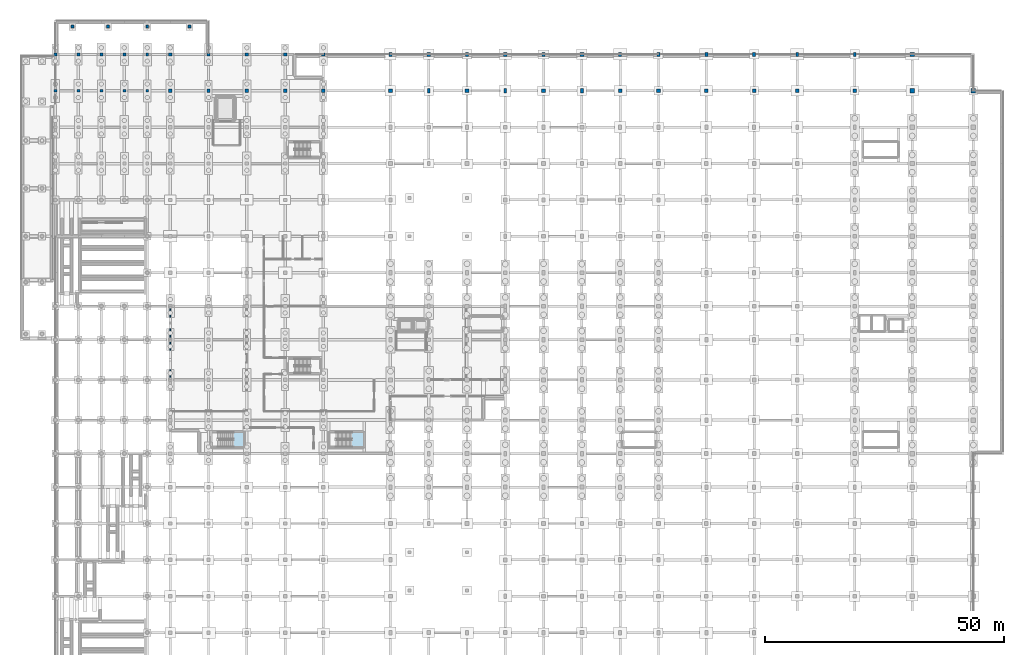
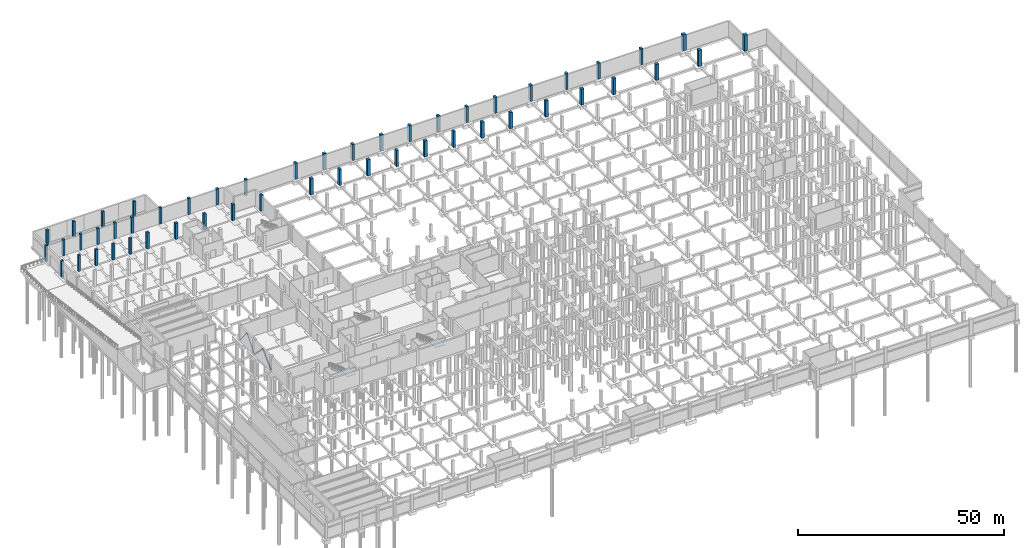
# One storey, part 30 of 50: 51 columns, 4 members, 2 slabs, 2 elements without a shape of their own.
"""IFC4 building model written with IfcOpenShell, lengths in metres."""

from ifc_helpers import new_model, si_unit, direction, frame, origin, origin_2d, place, context, subcontext, project, spatial, polyline, rectangle, hollow_circle, outline, extrude, material, layer, layer_set, material_profile, profile_set, type_object, element, aggregate, save


model = new_model("IFC4")

# Units and contexts
model_context = context("Model", 3, precision=1e-05, world=origin(), true_north=direction((0.0, 1.0)))
body_context = subcontext(model_context, "Body", "Model", "MODEL_VIEW")
ifc_project = project(units=[si_unit("LENGTHUNIT", "METRE"), si_unit("AREAUNIT", "SQUARE_METRE"), si_unit("VOLUMEUNIT", "CUBIC_METRE"), si_unit("PLANEANGLEUNIT", "RADIAN"), si_unit("MASSUNIT", "GRAM", prefix="KILO")], contexts=[model_context])

# Site, building, storey
site_placement = place(None, origin())
site = spatial("IfcSite", under=ifc_project, at=site_placement, CompositionType="ELEMENT")
building_placement = place(site_placement, origin())
building = spatial("IfcBuilding", under=site, at=building_placement, Name="Vekula Escarpment Museum", CompositionType="ELEMENT")
storey_placement = place(building_placement, frame((0.0, 0.0, -4.800048828125)))
storey = spatial("IfcBuildingStorey", under=building, at=storey_placement, Name="B1", CompositionType="ELEMENT", Elevation=-4.800048828125)

# Columns
ifc_material_1 = material(Name="Concrete C35/45", Category="concrete")
ifc_material_profile_1 = material_profile(ifc_material_1, rectangle(XDim=0.60009765625, YDim=0.60009765625, at=origin_2d()), Name="RC 600x600")
ifc_profile_set_1 = profile_set([ifc_material_profile_1], Name="Concrete C35/45")
column_type_1 = type_object("IfcColumnType", Name="COL-B1-RC600", PredefinedType="COLUMN", material=ifc_profile_set_1)
for number, where, z_axis, x_axis, name in (
    (1, (0.0, 128.39990234375, 0.0), (0.0, 0.0, 1.0), (1.0, 0.0, 0.0), "Column B1 (0.0,128.4)"),
    (2, (0.0, 136.0, 0.0), (0.0, 0.0, 1.0), (1.0, 0.0, 0.0), "Column B1 (0.0,136.0)"),
    (3, (4.800048828125, 128.39990234375, 0.0), (0.0, 0.0, 1.0), (1.0, 0.0, 0.0), "Column B1 (4.8,128.4)"),
    (4, (4.800048828125, 136.0, 0.0), (0.0, 0.0, 1.0), (1.0, 0.0, 0.0), "Column B1 (4.8,136.0)"),
    (5, (9.60009765625, 128.39990234375, 0.0), (0.0, 0.0, 1.0), (1.0, 0.0, 0.0), "Column B1 (9.6,128.4)"),
    (6, (9.60009765625, 136.0, 0.0), (0.0, 0.0, 1.0), (1.0, 0.0, 0.0), "Column B1 (9.6,136.0)"),
    (7, (14.39990234375, 128.39990234375, 0.0), (0.0, 0.0, 1.0), (1.0, 0.0, 0.0), "Column B1 (14.4,128.4)"),
    (8, (14.39990234375, 136.0, 0.0), (0.0, 0.0, 1.0), (1.0, 0.0, 0.0), "Column B1 (14.4,136.0)"),
    (9, (19.199951171875, 128.39990234375, 0.0), (0.0, 0.0, 1.0), (1.0, 0.0, 0.0), "Column B1 (19.2,128.4)"),
    (10, (19.199951171875, 136.0, 0.0), (0.0, 0.0, 1.0), (1.0, 0.0, 0.0), "Column B1 (19.2,136.0)"),
):
    element("IfcColumn", number, at=place(storey_placement, frame(where, z_axis=z_axis, x_axis=x_axis)), inside=storey, type_object=column_type_1, Name=name, PredefinedType="COLUMN", context=body_context, shape_type="SweptSolid", body=[
        extrude(rectangle(XDim=0.60009765625, YDim=0.60009765625, at=origin_2d()), origin(), (0.0, 0.0, 1.0), 4.800048828125),
    ])
for number, where, z_axis, x_axis, name in (
    (11, (3.60009765625, 141.800048828125, 0.0), (0.0, 0.0, 1.0), (1.0, 0.0, 0.0), "Dock Apron Pier 1"),
    (12, (11.0, 141.800048828125, 0.0), (0.0, 0.0, 1.0), (1.0, 0.0, 0.0), "Dock Apron Pier 2"),
    (13, (19.199951171875, 141.800048828125, 0.0), (0.0, 0.0, 1.0), (1.0, 0.0, 0.0), "Dock Apron Pier 3"),
    (14, (28.0, 141.800048828125, 0.0), (0.0, 0.0, 1.0), (1.0, 0.0, 0.0), "Dock Apron Pier 4"),
):
    element("IfcColumn", number, at=place(storey_placement, frame(where, z_axis=z_axis, x_axis=x_axis)), inside=storey, type_object=column_type_1, Name=name, PredefinedType="COLUMN", context=body_context, shape_type="SweptSolid", body=[
        extrude(rectangle(XDim=0.60009765625, YDim=0.60009765625, at=origin_2d()), origin(), (0.0, 0.0, 1.0), 4.550048828125),
    ])
ifc_material_2 = material(Name="Concrete C35/45", Category="concrete")
ifc_material_profile_2 = material_profile(ifc_material_2, rectangle(XDim=0.60009765625, YDim=0.89990234375, at=origin_2d()), Name="RC 600x900")
ifc_profile_set_2 = profile_set([ifc_material_profile_2], Name="Concrete C35/45")
column_type_2 = type_object("IfcColumnType", Name="COL-B1-RC69", PredefinedType="COLUMN", material=ifc_profile_set_2)
for number, where, z_axis, x_axis, name in (
    (15, (70.0, 136.0, 0.0), (0.0, 0.0, 1.0), (1.0, 0.0, 0.0), "Column B1 (70.0,136.0)"),
    (16, (78.0, 128.39990234375, 0.0), (0.0, 0.0, 1.0), (1.0, 0.0, 0.0), "Column B1 (78.0,128.4)"),
    (17, (86.0, 136.0, 0.0), (0.0, 0.0, 1.0), (1.0, 0.0, 0.0), "Column B1 (86.0,136.0)"),
    (18, (94.0, 128.39990234375, 0.0), (0.0, 0.0, 1.0), (1.0, 0.0, 0.0), "Column B1 (94.0,128.4)"),
    (19, (102.0, 136.0, 0.0), (0.0, 0.0, 1.0), (1.0, 0.0, 0.0), "Column B1 (102.0,136.0)"),
    (20, (110.0, 128.39990234375, 0.0), (0.0, 0.0, 1.0), (1.0, 0.0, 0.0), "Column B1 (110.0,128.4)"),
    (21, (118.0, 136.0, 0.0), (0.0, 0.0, 1.0), (1.0, 0.0, 0.0), "Column B1 (118.0,136.0)"),
    (22, (126.0, 136.0, 0.0), (0.0, 0.0, 1.0), (1.0, 0.0, 0.0), "Column B1 (126.0,136.0)"),
    (23, (136.0, 136.0, 0.0), (0.0, 0.0, 1.0), (1.0, 0.0, 0.0), "Column B1 (136.0,136.0)"),
    (24, (146.0, 136.0, 0.0), (0.0, 0.0, 1.0), (1.0, 0.0, 0.0), "Column B1 (146.0,136.0)"),
    (25, (155.0, 136.0, 0.0), (0.0, 0.0, 1.0), (1.0, 0.0, 0.0), "Column B1 (155.0,136.0)"),
    (26, (167.0, 136.0, 0.0), (0.0, 0.0, 1.0), (1.0, 0.0, 0.0), "Column B1 (167.0,136.0)"),
):
    element("IfcColumn", number, at=place(storey_placement, frame(where, z_axis=z_axis, x_axis=x_axis)), inside=storey, type_object=column_type_2, Name=name, PredefinedType="COLUMN", context=body_context, shape_type="SweptSolid", body=[
        extrude(rectangle(XDim=0.60009765625, YDim=0.89990234375, at=origin_2d()), origin(), (0.0, 0.0, 1.0), 4.800048828125),
    ])
ifc_material_3 = material(Name="Concrete C35/45", Category="concrete")
ifc_material_profile_3 = material_profile(ifc_material_3, rectangle(XDim=0.699951171875, YDim=0.699951171875, at=origin_2d()), Name="RC 700x700")
ifc_profile_set_3 = profile_set([ifc_material_profile_3], Name="Concrete C35/45")
column_type_3 = type_object("IfcColumnType", Name="COL-B1-RC700", PredefinedType="COLUMN", material=ifc_profile_set_3)
for number, where, z_axis, x_axis, name in (
    (27, (24.0, 128.39990234375, 0.0), (0.0, 0.0, 1.0), (1.0, 0.0, 0.0), "Column B1 (24.0,128.4)"),
    (28, (24.0, 136.0, 0.0), (0.0, 0.0, 1.0), (1.0, 0.0, 0.0), "Column B1 (24.0,136.0)"),
    (29, (32.0, 128.39990234375, 0.0), (0.0, 0.0, 1.0), (1.0, 0.0, 0.0), "Column B1 (32.0,128.4)"),
    (30, (32.0, 136.0, 0.0), (0.0, 0.0, 1.0), (1.0, 0.0, 0.0), "Column B1 (32.0,136.0)"),
    (31, (40.0, 128.39990234375, 0.0), (0.0, 0.0, 1.0), (1.0, 0.0, 0.0), "Column B1 (40.0,128.4)"),
    (32, (40.0, 136.0, 0.0), (0.0, 0.0, 1.0), (1.0, 0.0, 0.0), "Column B1 (40.0,136.0)"),
    (33, (48.0, 128.39990234375, 0.0), (0.0, 0.0, 1.0), (1.0, 0.0, 0.0), "Column B1 (48.0,128.4)"),
    (34, (48.0, 136.0, 0.0), (0.0, 0.0, 1.0), (1.0, 0.0, 0.0), "Column B1 (48.0,136.0)"),
    (35, (56.0, 128.39990234375, 0.0), (0.0, 0.0, 1.0), (1.0, 0.0, 0.0), "Column B1 (56.0,128.4)"),
    (36, (56.0, 136.0, 0.0), (0.0, 0.0, 1.0), (1.0, 0.0, 0.0), "Column B1 (56.0,136.0)"),
):
    element("IfcColumn", number, at=place(storey_placement, frame(where, z_axis=z_axis, x_axis=x_axis)), inside=storey, type_object=column_type_3, Name=name, PredefinedType="COLUMN", context=body_context, shape_type="SweptSolid", body=[
        extrude(rectangle(XDim=0.699951171875, YDim=0.699951171875, at=origin_2d()), origin(), (0.0, 0.0, 1.0), 4.800048828125),
    ])
ifc_material_4 = material(Name="Concrete C35/45", Category="concrete")
ifc_material_profile_4 = material_profile(ifc_material_4, rectangle(XDim=0.800048828125, YDim=0.800048828125, at=origin_2d()), Name="RC 800x800")
ifc_profile_set_4 = profile_set([ifc_material_profile_4], Name="Concrete C35/45")
column_type_4 = type_object("IfcColumnType", Name="COL-B1-RC800", PredefinedType="COLUMN", material=ifc_profile_set_4)
for number, where, z_axis, x_axis, name in (
    (37, (70.0, 128.39990234375, 0.0), (0.0, 0.0, 1.0), (1.0, 0.0, 0.0), "Column B1 (70.0,128.4)"),
    (38, (78.0, 136.0, 0.0), (0.0, 0.0, 1.0), (1.0, 0.0, 0.0), "Column B1 (78.0,136.0)"),
    (39, (86.0, 128.39990234375, 0.0), (0.0, 0.0, 1.0), (1.0, 0.0, 0.0), "Column B1 (86.0,128.4)"),
    (40, (94.0, 136.0, 0.0), (0.0, 0.0, 1.0), (1.0, 0.0, 0.0), "Column B1 (94.0,136.0)"),
    (41, (102.0, 128.39990234375, 0.0), (0.0, 0.0, 1.0), (1.0, 0.0, 0.0), "Column B1 (102.0,128.4)"),
    (42, (110.0, 136.0, 0.0), (0.0, 0.0, 1.0), (1.0, 0.0, 0.0), "Column B1 (110.0,136.0)"),
    (43, (118.0, 128.39990234375, 0.0), (0.0, 0.0, 1.0), (1.0, 0.0, 0.0), "Column B1 (118.0,128.4)"),
    (44, (126.0, 128.39990234375, 0.0), (0.0, 0.0, 1.0), (1.0, 0.0, 0.0), "Column B1 (126.0,128.4)"),
    (45, (136.0, 128.39990234375, 0.0), (0.0, 0.0, 1.0), (1.0, 0.0, 0.0), "Column B1 (136.0,128.4)"),
    (46, (146.0, 128.39990234375, 0.0), (0.0, 0.0, 1.0), (1.0, 0.0, 0.0), "Column B1 (146.0,128.4)"),
    (47, (155.0, 128.39990234375, 0.0), (0.0, 0.0, 1.0), (1.0, 0.0, 0.0), "Column B1 (155.0,128.4)"),
    (48, (167.0, 128.39990234375, 0.0), (0.0, 0.0, 1.0), (1.0, 0.0, 0.0), "Column B1 (167.0,128.4)"),
):
    element("IfcColumn", number, at=place(storey_placement, frame(where, z_axis=z_axis, x_axis=x_axis)), inside=storey, type_object=column_type_4, Name=name, PredefinedType="COLUMN", context=body_context, shape_type="SweptSolid", body=[
        extrude(rectangle(XDim=0.800048828125, YDim=0.800048828125, at=origin_2d()), origin(), (0.0, 0.0, 1.0), 4.800048828125),
    ])
ifc_material_5 = material(Name="Concrete C35/45", Category="concrete")
ifc_material_profile_5 = material_profile(ifc_material_5, rectangle(XDim=0.89990234375, YDim=0.89990234375, at=origin_2d()), Name="RC 900x900")
ifc_profile_set_5 = profile_set([ifc_material_profile_5], Name="Concrete C35/45")
column_type_5 = type_object("IfcColumnType", Name="COL-B1-RC900", PredefinedType="COLUMN", material=ifc_profile_set_5)
for number, where, z_axis, x_axis, name in (
    (49, (179.0, 128.39990234375, 0.0), (0.0, 0.0, 1.0), (1.0, 0.0, 0.0), "Column B1 (179.0,128.4)"),
    (50, (179.0, 136.0, 0.0), (0.0, 0.0, 1.0), (1.0, 0.0, 0.0), "Column B1 (179.0,136.0)"),
    (51, (191.800048828125, 128.39990234375, 0.0), (0.0, 0.0, 1.0), (1.0, 0.0, 0.0), "Column B1 (191.8,128.4)"),
):
    element("IfcColumn", number, at=place(storey_placement, frame(where, z_axis=z_axis, x_axis=x_axis)), inside=storey, type_object=column_type_5, Name=name, PredefinedType="COLUMN", context=body_context, shape_type="SweptSolid", body=[
        extrude(rectangle(XDim=0.89990234375, YDim=0.89990234375, at=origin_2d()), origin(), (0.0, 0.0, 1.0), 4.800048828125),
    ])

# Members
ifc_material_6 = material(Name="Steel S355", Category="steel")
ifc_material_profile_6 = material_profile(ifc_material_6, hollow_circle(Radius=0.136474609375, WallThickness=0.012451171875, at=origin_2d()), Name="CHS 273x12.5")
ifc_profile_set_6 = profile_set([ifc_material_profile_6], Name="Steel S355")
member_type_1 = type_object("IfcMemberType", Name="MB-CBF-BRACE1", PredefinedType="BRACE", material=ifc_profile_set_6)
for number, where, z_axis, x_axis, name in (
    (52, (24.0, 76.64990234375, 0.239990234375), (0.0, 0.634410085934, 0.772996664201), (-1.0, 0.0, 0.0), "Lateral Braced Frame B1-04L"),
    (53, (24.0, 83.14990234375, 0.239990234375), (0.0, -0.634410085934, 0.772996664201), (1.0, 0.0, 0.0), "Lateral Braced Frame B1-04R"),
):
    element("IfcMember", number, at=place(storey_placement, frame(where, z_axis=z_axis, x_axis=x_axis)), inside=storey, type_object=member_type_1, Name=name, PredefinedType="BRACE", context=body_context, shape_type="SweptSolid", body=[
        extrude(hollow_circle(Radius=0.136474609375, WallThickness=0.012451171875, at=origin_2d()), origin(), (0.0, 0.0, 1.0), 5.122802734375),
    ])
ifc_material_7 = material(Name="Steel S355", Category="steel")
ifc_material_profile_7 = material_profile(ifc_material_7, hollow_circle(Radius=0.203125, WallThickness=0.02001953125, at=origin_2d()), Name="CHS 406.4x20")
ifc_profile_set_7 = profile_set([ifc_material_profile_7], Name="Steel S355")
member_type_2 = type_object("IfcMemberType", Name="MB-CBF-BRACE2", PredefinedType="BRACE", material=ifc_profile_set_7)
for number, where, z_axis, x_axis, name in (
    (54, (24.0, 68.25, 0.239990234375), (0.0, 0.706211392481, 0.70800103752), (-1.0, 0.0, 0.0), "Lateral Braced Frame B1-01L"),
    (55, (24.0, 76.14990234375, 0.239990234375), (0.0, -0.706211392481, 0.70800103752), (1.0, 0.0, 0.0), "Lateral Braced Frame B1-01R"),
):
    element("IfcMember", number, at=place(storey_placement, frame(where, z_axis=z_axis, x_axis=x_axis)), inside=storey, type_object=member_type_2, Name=name, PredefinedType="BRACE", context=body_context, shape_type="SweptSolid", body=[
        extrude(hollow_circle(Radius=0.203125, WallThickness=0.02001953125, at=origin_2d()), origin(), (0.0, 0.0, 1.0), 5.59326171875),
    ])

# Stair, slab
ifc_material_8 = material(Name="Concrete C35/45", Category="concrete")
stair_type = type_object("IfcStairType", Name="STR-TYPE-142", PredefinedType="HALF_TURN_STAIR", material=ifc_material_8)
stair_1_placement = place(storey_placement, origin())
stair_1 = element("IfcStair", 56, at=stair_1_placement, inside=storey, type_object=stair_type, Name="B1 Central West Exit Stair ST-01", PredefinedType="HALF_TURN_STAIR")
ifc_material_9 = material(Name="Concrete C35/45", Category="concrete")
ifc_layer = layer(ifc_material_9, 0.199951171875)
ifc_layer_set = layer_set([ifc_layer], Name="Concrete C35/45")
slab_type = type_object("IfcSlabType", Name="SL-LAND-200", PredefinedType="LANDING", material=ifc_layer_set)
slab_1_placement = place(storey_placement, frame((0.0, 0.0, 2.199951171875)))
slab_1 = element("IfcSlab", 57, at=slab_1_placement, type_object=slab_type, Name="ST-01 landing 1", PredefinedType="LANDING", context=body_context, shape_type="SweptSolid", body=[
    extrude(outline(polyline([(61.889892578125, 53.909912109375), (64.489990234375, 53.909912109375), (64.489990234375, 57.1298828125), (61.889892578125, 57.1298828125), (61.889892578125, 53.909912109375)])), origin(), (0.0, 0.0, 1.0), 0.2001953125),
])
aggregate(stair_1, [slab_1])

stair_2_placement = place(storey_placement, origin())
stair_2 = element("IfcStair", 58, at=stair_2_placement, inside=storey, type_object=stair_type, Name="B1 Plinth West Exit Stair ST-04", PredefinedType="HALF_TURN_STAIR")
slab_2_placement = place(storey_placement, frame((0.0, 0.0, 2.199951171875)))
slab_2 = element("IfcSlab", 59, at=slab_2_placement, type_object=slab_type, Name="ST-04 landing 1", PredefinedType="LANDING", context=body_context, shape_type="SweptSolid", body=[
    extrude(outline(polyline([(37.18994140625, 53.909912109375), (39.489990234375, 53.909912109375), (39.489990234375, 57.1298828125), (37.18994140625, 57.1298828125), (37.18994140625, 53.909912109375)])), origin(), (0.0, 0.0, 1.0), 0.2001953125),
])
aggregate(stair_2, [slab_2])

save(model, "model.ifc")
